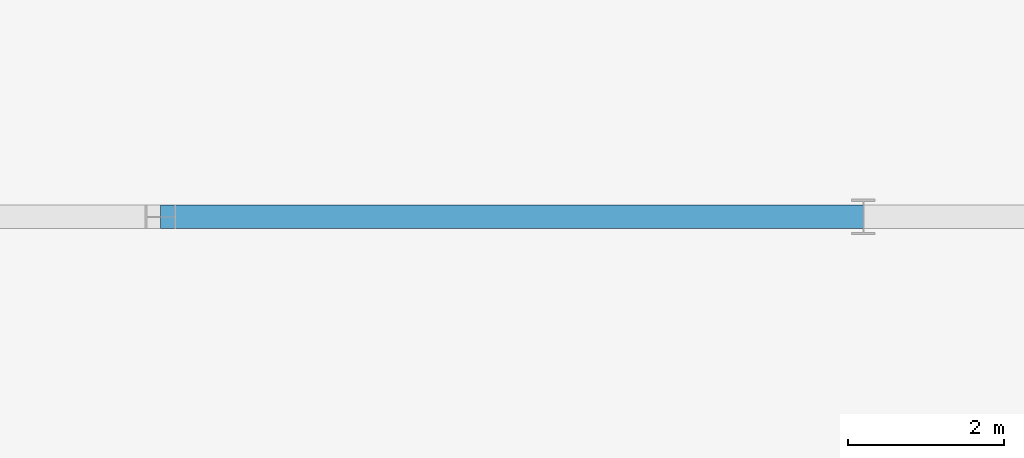
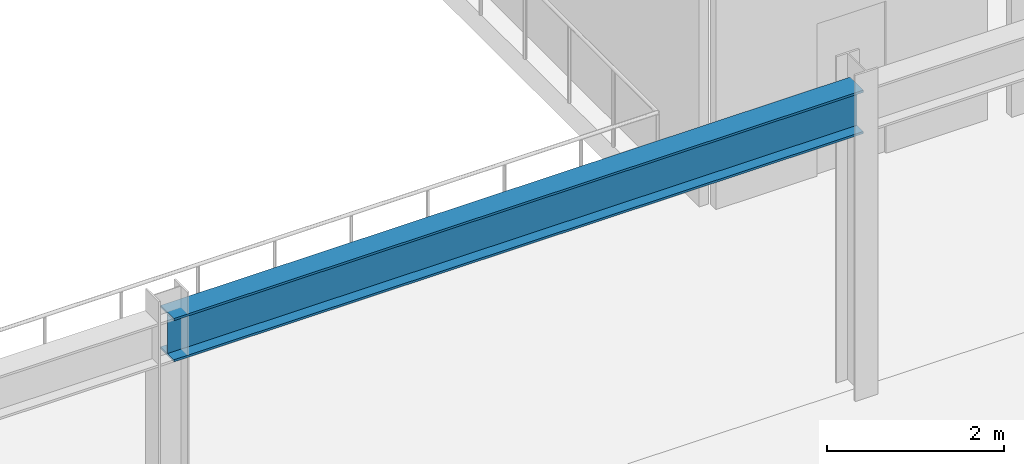
# One storey, part 59 of 115: 1 beam.
"""IFC4 building model written with IfcOpenShell, lengths in metres."""

from ifc_helpers import new_model, si_unit, direction, frame, origin, origin_2d, place, context, subcontext, project, spatial, i_section, extrude, material, material_profile, profile_set, type_object, element, save


model = new_model("IFC4")

# Units and contexts
model_context = context("Model", 3, precision=1e-05, world=origin(), true_north=direction((0.0, 1.0)))
body_context = subcontext(model_context, "Body", "Model", "MODEL_VIEW")
ifc_project = project(units=[si_unit("LENGTHUNIT", "METRE"), si_unit("AREAUNIT", "SQUARE_METRE"), si_unit("VOLUMEUNIT", "CUBIC_METRE"), si_unit("PLANEANGLEUNIT", "RADIAN"), si_unit("MASSUNIT", "GRAM", prefix="KILO")], contexts=[model_context])

# Site, building, storey
site_placement = place(None, origin())
site = spatial("IfcSite", under=ifc_project, at=site_placement, CompositionType="ELEMENT")
building_placement = place(site_placement, origin())
building = spatial("IfcBuilding", under=site, at=building_placement, Name="Montelvaro Courts of Justice", CompositionType="ELEMENT")
storey_placement = place(building_placement, frame((0.0, 0.0, 9.89990234375)))
storey = spatial("IfcBuildingStorey", under=building, at=storey_placement, Name="L02", CompositionType="ELEMENT", Elevation=9.89990234375)

# Beam
ifc_material = material(Name="Steel S355", Category="steel")
ifc_material_profile = material_profile(ifc_material, i_section(OverallWidth=0.300048828125, OverallDepth=0.60009765625, WebThickness=0.015380859375, FlangeThickness=0.030029296875, at=origin_2d()), Name="HEB 600")
ifc_profile_set = profile_set([ifc_material_profile], Name="Steel S355")
beam_type = type_object("IfcBeamType", Name="Beam_HEB600", PredefinedType="USERDEFINED", material=ifc_profile_set)
beam_placement = place(storey_placement, frame((63.0, 78.0, 3.900146484375), z_axis=(1.0, 0.0, 0.0), x_axis=(0.0, 1.0, 0.0)))
element("IfcBeam", 1, at=beam_placement, inside=storey, type_object=beam_type, Name="V1 Roof Eave Girder", ObjectType="GIRDER", PredefinedType="USERDEFINED", context=body_context, shape_type="SweptSolid", body=[
    extrude(i_section(OverallWidth=0.300048828125, OverallDepth=0.60009765625, WebThickness=0.015380859375, FlangeThickness=0.030029296875, at=origin_2d()), origin(), (0.0, 0.0, 1.0), 9.0),
])

save(model, "model.ifc")
